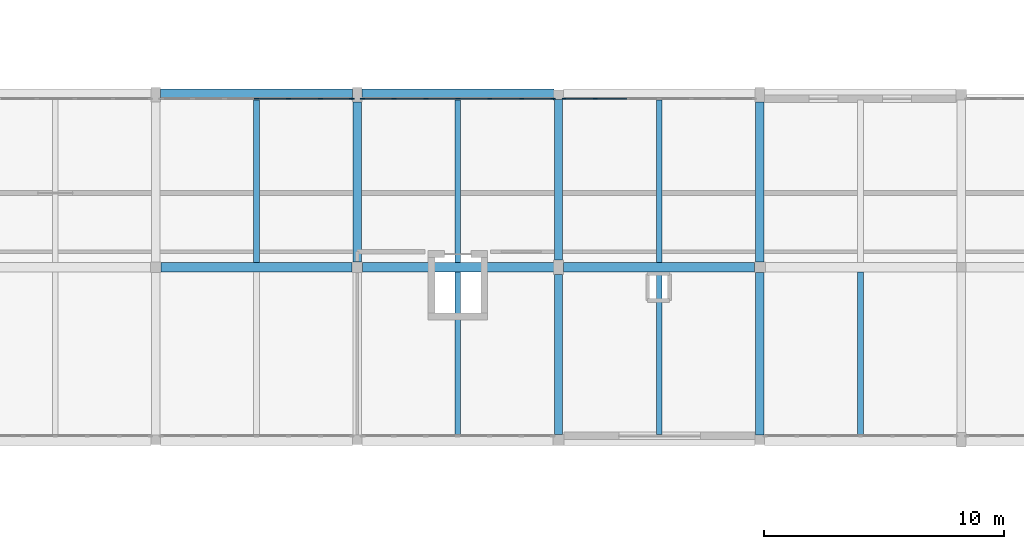
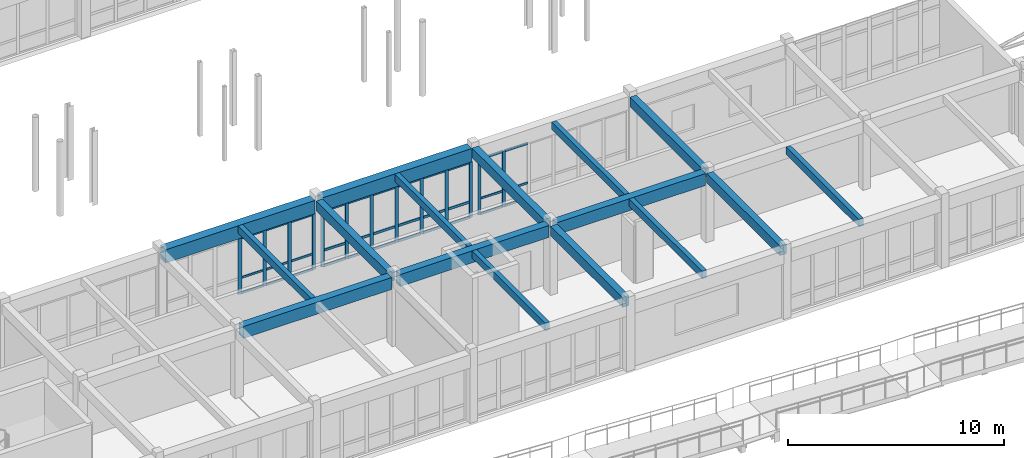
# One storey, part 45 of 89: 46 members, 16 beams, 3 elements without a shape of their own.
"""IFC4 building model written with IfcOpenShell, lengths in metres."""

from ifc_helpers import new_model, si_unit, direction, frame, origin, origin_2d, place, context, subcontext, project, spatial, rectangle, extrude, material, material_profile, profile_set, type_object, element, aggregate, save


model = new_model("IFC4")

# Units and contexts
model_context = context("Model", 3, precision=1e-05, world=origin(), true_north=direction((0.0, 1.0)))
body_context = subcontext(model_context, "Body", "Model", "MODEL_VIEW")
ifc_project = project(units=[si_unit("LENGTHUNIT", "METRE"), si_unit("AREAUNIT", "SQUARE_METRE"), si_unit("VOLUMEUNIT", "CUBIC_METRE"), si_unit("PLANEANGLEUNIT", "RADIAN"), si_unit("MASSUNIT", "GRAM", prefix="KILO")], contexts=[model_context])

# Site, building, storey
site_placement = place(None, origin())
site = spatial("IfcSite", under=ifc_project, at=site_placement, CompositionType="ELEMENT")
building_placement = place(site_placement, origin())
building = spatial("IfcBuilding", under=site, at=building_placement, Name="Malvenik Polytechnic", CompositionType="ELEMENT")
storey_placement = place(building_placement, frame((0.0, 0.0, 13.5)))
storey = spatial("IfcBuildingStorey", under=building, at=storey_placement, Name="L03", CompositionType="ELEMENT", Elevation=13.5)

# Curtain wall, members
ifc_material_1 = material(Name="Anodised aluminium 6060-T6", Category="aluminium")
curtain_wall_type = type_object("IfcCurtainWallType", Name="ARC-CW-CW-02", PredefinedType="NOTDEFINED", material=ifc_material_1)
curtain_wall_1_placement = place(storey_placement, origin())
curtain_wall_1 = element("IfcCurtainWall", 1, at=curtain_wall_1_placement, inside=storey, type_object=curtain_wall_type, Name="Unitised Curtain Wall CW-02 L03 #191", PredefinedType="NOTDEFINED")
ifc_material_2 = material(Name="Anodised aluminium", Category="aluminium")
ifc_material_profile_1 = material_profile(ifc_material_2, rectangle(XDim=0.06005859375, YDim=0.159912109375, at=origin_2d()), Name="ALU MULLION 60x160")
ifc_profile_set_1 = profile_set([ifc_material_profile_1], Name="Anodised aluminium")
member_type_1 = type_object("IfcMemberType", Name="ARC-CWM-160", PredefinedType="MULLION", material=ifc_profile_set_1)
member_1_placement = place(storey_placement, frame((109.427978515625, 93.429931640625, 0.0), z_axis=(0.0, 0.0, 1.0), x_axis=(0.0, 1.0, 0.0)))
member_1 = element("IfcMember", 2, at=member_1_placement, type_object=member_type_1, Name="CW-02 mullion 1", PredefinedType="MULLION", context=body_context, shape_type="SweptSolid", body=[
    extrude(rectangle(XDim=0.06005859375, YDim=0.159912109375, at=origin_2d()), origin(), (0.0, 0.0, 1.0), 3.159912109375),
])
member_2_placement = place(storey_placement, frame((110.73193359375, 93.429931640625, 0.0), z_axis=(0.0, 0.0, 1.0), x_axis=(0.0, 1.0, 0.0)))
member_2 = element("IfcMember", 3, at=member_2_placement, type_object=member_type_1, Name="CW-02 mullion 2", PredefinedType="MULLION", context=body_context, shape_type="SweptSolid", body=[
    extrude(rectangle(XDim=0.06005859375, YDim=0.159912109375, at=origin_2d()), origin(), (0.0, 0.0, 1.0), 3.159912109375),
])

curtain_wall_2_placement = place(storey_placement, origin())
curtain_wall_2 = element("IfcCurtainWall", 4, at=curtain_wall_2_placement, inside=storey, type_object=curtain_wall_type, Name="Unitised Curtain Wall CW-02 L03 #190", PredefinedType="NOTDEFINED")
ifc_material_profile_2 = material_profile(ifc_material_2, rectangle(XDim=0.06005859375, YDim=0.179931640625, at=origin_2d()), Name="ALU MULLION 60x180")
ifc_profile_set_2 = profile_set([ifc_material_profile_2], Name="Anodised aluminium")
member_type_2 = type_object("IfcMemberType", Name="ARC-CWM-180", PredefinedType="MULLION", material=ifc_profile_set_2)
member_3_placement = place(storey_placement, frame((101.028076171875, 93.429931640625, 0.0), z_axis=(0.0, 0.0, 1.0), x_axis=(0.0, 1.0, 0.0)))
member_3 = element("IfcMember", 5, at=member_3_placement, type_object=member_type_2, Name="CW-02 mullion 1", PredefinedType="MULLION", context=body_context, shape_type="SweptSolid", body=[
    extrude(rectangle(XDim=0.06005859375, YDim=0.179931640625, at=origin_2d()), origin(), (0.0, 0.0, 1.0), 3.159912109375),
])
member_4_placement = place(storey_placement, frame((102.33203125, 93.429931640625, 0.0), z_axis=(0.0, 0.0, 1.0), x_axis=(0.0, 1.0, 0.0)))
member_4 = element("IfcMember", 6, at=member_4_placement, type_object=member_type_2, Name="CW-02 mullion 2", PredefinedType="MULLION", context=body_context, shape_type="SweptSolid", body=[
    extrude(rectangle(XDim=0.06005859375, YDim=0.179931640625, at=origin_2d()), origin(), (0.0, 0.0, 1.0), 3.159912109375),
])
member_5_placement = place(storey_placement, frame((103.666015625, 93.429931640625, 0.0), z_axis=(0.0, 0.0, 1.0), x_axis=(0.0, 1.0, 0.0)))
member_5 = element("IfcMember", 7, at=member_5_placement, type_object=member_type_2, Name="CW-02 mullion 3", PredefinedType="MULLION", context=body_context, shape_type="SweptSolid", body=[
    extrude(rectangle(XDim=0.06005859375, YDim=0.179931640625, at=origin_2d()), origin(), (0.0, 0.0, 1.0), 3.159912109375),
])
member_6_placement = place(storey_placement, frame((105.0, 93.429931640625, 0.0), z_axis=(0.0, 0.0, 1.0), x_axis=(0.0, 1.0, 0.0)))
member_6 = element("IfcMember", 8, at=member_6_placement, type_object=member_type_2, Name="CW-02 mullion 4", PredefinedType="MULLION", context=body_context, shape_type="SweptSolid", body=[
    extrude(rectangle(XDim=0.06005859375, YDim=0.179931640625, at=origin_2d()), origin(), (0.0, 0.0, 1.0), 3.159912109375),
])
member_7_placement = place(storey_placement, frame((106.333984375, 93.429931640625, 0.0), z_axis=(0.0, 0.0, 1.0), x_axis=(0.0, 1.0, 0.0)))
member_7 = element("IfcMember", 9, at=member_7_placement, type_object=member_type_2, Name="CW-02 mullion 5", PredefinedType="MULLION", context=body_context, shape_type="SweptSolid", body=[
    extrude(rectangle(XDim=0.06005859375, YDim=0.179931640625, at=origin_2d()), origin(), (0.0, 0.0, 1.0), 3.159912109375),
])
member_8_placement = place(storey_placement, frame((107.66796875, 93.429931640625, 0.0), z_axis=(0.0, 0.0, 1.0), x_axis=(0.0, 1.0, 0.0)))
member_8 = element("IfcMember", 10, at=member_8_placement, type_object=member_type_2, Name="CW-02 mullion 6", PredefinedType="MULLION", context=body_context, shape_type="SweptSolid", body=[
    extrude(rectangle(XDim=0.06005859375, YDim=0.179931640625, at=origin_2d()), origin(), (0.0, 0.0, 1.0), 3.159912109375),
])
member_9_placement = place(storey_placement, frame((108.971923828125, 93.429931640625, 0.0), z_axis=(0.0, 0.0, 1.0), x_axis=(0.0, 1.0, 0.0)))
member_9 = element("IfcMember", 11, at=member_9_placement, type_object=member_type_2, Name="CW-02 mullion 7", PredefinedType="MULLION", context=body_context, shape_type="SweptSolid", body=[
    extrude(rectangle(XDim=0.06005859375, YDim=0.179931640625, at=origin_2d()), origin(), (0.0, 0.0, 1.0), 3.159912109375),
])

curtain_wall_3_placement = place(storey_placement, origin())
curtain_wall_3 = element("IfcCurtainWall", 12, at=curtain_wall_3_placement, inside=storey, type_object=curtain_wall_type, Name="Unitised Curtain Wall CW-02 L03 #189", PredefinedType="NOTDEFINED")
ifc_material_profile_3 = material_profile(ifc_material_2, rectangle(XDim=0.06005859375, YDim=0.199951171875, at=origin_2d()), Name="ALU MULLION 60x200")
ifc_profile_set_3 = profile_set([ifc_material_profile_3], Name="Anodised aluminium")
member_type_3 = type_object("IfcMemberType", Name="ARC-CWM-200", PredefinedType="MULLION", material=ifc_profile_set_3)
member_10_placement = place(storey_placement, frame((96.60009765625, 93.429931640625, 0.0), z_axis=(0.0, 0.0, 1.0), x_axis=(0.0, 1.0, 0.0)))
member_10 = element("IfcMember", 13, at=member_10_placement, type_object=member_type_3, Name="CW-02 mullion 4", PredefinedType="MULLION", context=body_context, shape_type="SweptSolid", body=[
    extrude(rectangle(XDim=0.06005859375, YDim=0.199951171875, at=origin_2d()), origin(), (0.0, 0.0, 1.0), 3.159912109375),
])
member_11_placement = place(storey_placement, frame((97.93408203125, 93.429931640625, 0.0), z_axis=(0.0, 0.0, 1.0), x_axis=(0.0, 1.0, 0.0)))
member_11 = element("IfcMember", 14, at=member_11_placement, type_object=member_type_3, Name="CW-02 mullion 5", PredefinedType="MULLION", context=body_context, shape_type="SweptSolid", body=[
    extrude(rectangle(XDim=0.06005859375, YDim=0.199951171875, at=origin_2d()), origin(), (0.0, 0.0, 1.0), 3.159912109375),
])
member_12_placement = place(storey_placement, frame((99.26806640625, 93.429931640625, 0.0), z_axis=(0.0, 0.0, 1.0), x_axis=(0.0, 1.0, 0.0)))
member_12 = element("IfcMember", 15, at=member_12_placement, type_object=member_type_3, Name="CW-02 mullion 6", PredefinedType="MULLION", context=body_context, shape_type="SweptSolid", body=[
    extrude(rectangle(XDim=0.06005859375, YDim=0.199951171875, at=origin_2d()), origin(), (0.0, 0.0, 1.0), 3.159912109375),
])
member_13_placement = place(storey_placement, frame((100.572021484375, 93.429931640625, 0.0), z_axis=(0.0, 0.0, 1.0), x_axis=(0.0, 1.0, 0.0)))
member_13 = element("IfcMember", 16, at=member_13_placement, type_object=member_type_3, Name="CW-02 mullion 7", PredefinedType="MULLION", context=body_context, shape_type="SweptSolid", body=[
    extrude(rectangle(XDim=0.06005859375, YDim=0.199951171875, at=origin_2d()), origin(), (0.0, 0.0, 1.0), 3.159912109375),
])
ifc_material_profile_4 = material_profile(ifc_material_2, rectangle(XDim=0.06005859375, YDim=0.1201171875, at=origin_2d()), Name="ALU TRANSOM 60x120")
ifc_profile_set_4 = profile_set([ifc_material_profile_4], Name="Anodised aluminium")
member_type_4 = type_object("IfcMemberType", Name="ARC-CWT-120", PredefinedType="USERDEFINED", material=ifc_profile_set_4)
member_14_placement = place(storey_placement, frame((96.6298828125, 93.429931640625, 0.030029296875), z_axis=(1.0, 0.0, 0.0), x_axis=(0.0, 1.0, 0.0)))
member_14 = element("IfcMember", 17, at=member_14_placement, type_object=member_type_4, Name="CW-02 transom 4.1", ObjectType="TRANSOM", PredefinedType="USERDEFINED", context=body_context, shape_type="SweptSolid", body=[
    extrude(rectangle(XDim=0.06005859375, YDim=0.1201171875, at=origin_2d()), origin(), (0.0, 0.0, 1.0), 1.274169921875),
])
member_15_placement = place(storey_placement, frame((96.6298828125, 93.429931640625, 0.89990234375), z_axis=(1.0, 0.0, 0.0), x_axis=(0.0, 1.0, 0.0)))
member_15 = element("IfcMember", 18, at=member_15_placement, type_object=member_type_4, Name="CW-02 transom 4.2", ObjectType="TRANSOM", PredefinedType="USERDEFINED", context=body_context, shape_type="SweptSolid", body=[
    extrude(rectangle(XDim=0.06005859375, YDim=0.1201171875, at=origin_2d()), origin(), (0.0, 0.0, 1.0), 1.274169921875),
])
member_16_placement = place(storey_placement, frame((96.6298828125, 93.429931640625, 3.1298828125), z_axis=(1.0, 0.0, 0.0), x_axis=(0.0, 1.0, 0.0)))
member_16 = element("IfcMember", 19, at=member_16_placement, type_object=member_type_4, Name="CW-02 transom 4.3", ObjectType="TRANSOM", PredefinedType="USERDEFINED", context=body_context, shape_type="SweptSolid", body=[
    extrude(rectangle(XDim=0.06005859375, YDim=0.1201171875, at=origin_2d()), origin(), (0.0, 0.0, 1.0), 1.274169921875),
])
member_17_placement = place(storey_placement, frame((97.964111328125, 93.429931640625, 0.030029296875), z_axis=(1.0, 0.0, 0.0), x_axis=(0.0, 1.0, 0.0)))
member_17 = element("IfcMember", 20, at=member_17_placement, type_object=member_type_4, Name="CW-02 transom 5.1", ObjectType="TRANSOM", PredefinedType="USERDEFINED", context=body_context, shape_type="SweptSolid", body=[
    extrude(rectangle(XDim=0.06005859375, YDim=0.1201171875, at=origin_2d()), origin(), (0.0, 0.0, 1.0), 1.27392578125),
])
member_18_placement = place(storey_placement, frame((97.964111328125, 93.429931640625, 0.89990234375), z_axis=(1.0, 0.0, 0.0), x_axis=(0.0, 1.0, 0.0)))
member_18 = element("IfcMember", 21, at=member_18_placement, type_object=member_type_4, Name="CW-02 transom 5.2", ObjectType="TRANSOM", PredefinedType="USERDEFINED", context=body_context, shape_type="SweptSolid", body=[
    extrude(rectangle(XDim=0.06005859375, YDim=0.1201171875, at=origin_2d()), origin(), (0.0, 0.0, 1.0), 1.27392578125),
])
member_19_placement = place(storey_placement, frame((97.964111328125, 93.429931640625, 3.1298828125), z_axis=(1.0, 0.0, 0.0), x_axis=(0.0, 1.0, 0.0)))
member_19 = element("IfcMember", 22, at=member_19_placement, type_object=member_type_4, Name="CW-02 transom 5.3", ObjectType="TRANSOM", PredefinedType="USERDEFINED", context=body_context, shape_type="SweptSolid", body=[
    extrude(rectangle(XDim=0.06005859375, YDim=0.1201171875, at=origin_2d()), origin(), (0.0, 0.0, 1.0), 1.27392578125),
])
member_20_placement = place(storey_placement, frame((99.298095703125, 93.429931640625, 0.030029296875), z_axis=(1.0, 0.0, 0.0), x_axis=(0.0, 1.0, 0.0)))
member_20 = element("IfcMember", 23, at=member_20_placement, type_object=member_type_4, Name="CW-02 transom 6.1", ObjectType="TRANSOM", PredefinedType="USERDEFINED", context=body_context, shape_type="SweptSolid", body=[
    extrude(rectangle(XDim=0.06005859375, YDim=0.1201171875, at=origin_2d()), origin(), (0.0, 0.0, 1.0), 1.243896484375),
])
member_21_placement = place(storey_placement, frame((99.298095703125, 93.429931640625, 0.89990234375), z_axis=(1.0, 0.0, 0.0), x_axis=(0.0, 1.0, 0.0)))
member_21 = element("IfcMember", 24, at=member_21_placement, type_object=member_type_4, Name="CW-02 transom 6.2", ObjectType="TRANSOM", PredefinedType="USERDEFINED", context=body_context, shape_type="SweptSolid", body=[
    extrude(rectangle(XDim=0.06005859375, YDim=0.1201171875, at=origin_2d()), origin(), (0.0, 0.0, 1.0), 1.243896484375),
])
member_22_placement = place(storey_placement, frame((99.298095703125, 93.429931640625, 3.1298828125), z_axis=(1.0, 0.0, 0.0), x_axis=(0.0, 1.0, 0.0)))
member_22 = element("IfcMember", 25, at=member_22_placement, type_object=member_type_4, Name="CW-02 transom 6.3", ObjectType="TRANSOM", PredefinedType="USERDEFINED", context=body_context, shape_type="SweptSolid", body=[
    extrude(rectangle(XDim=0.06005859375, YDim=0.1201171875, at=origin_2d()), origin(), (0.0, 0.0, 1.0), 1.243896484375),
])
aggregate(curtain_wall_3, [member_10, member_11, member_12, member_13, member_14, member_15, member_16, member_17, member_18, member_19, member_20, member_21, member_22])

# Member
member_23_placement = place(storey_placement, frame((109.4580078125, 93.429931640625, 0.030029296875), z_axis=(1.0, 0.0, 0.0), x_axis=(0.0, 1.0, 0.0)))
member_23 = element("IfcMember", 26, at=member_23_placement, type_object=member_type_4, Name="CW-02 transom 1.1", ObjectType="TRANSOM", PredefinedType="USERDEFINED", context=body_context, shape_type="SweptSolid", body=[
    extrude(rectangle(XDim=0.06005859375, YDim=0.1201171875, at=origin_2d()), origin(), (0.0, 0.0, 1.0), 1.243896484375),
])

member_24_placement = place(storey_placement, frame((109.4580078125, 93.429931640625, 0.89990234375), z_axis=(1.0, 0.0, 0.0), x_axis=(0.0, 1.0, 0.0)))
member_24 = element("IfcMember", 27, at=member_24_placement, type_object=member_type_4, Name="CW-02 transom 1.2", ObjectType="TRANSOM", PredefinedType="USERDEFINED", context=body_context, shape_type="SweptSolid", body=[
    extrude(rectangle(XDim=0.06005859375, YDim=0.1201171875, at=origin_2d()), origin(), (0.0, 0.0, 1.0), 1.243896484375),
])

member_25_placement = place(storey_placement, frame((109.4580078125, 93.429931640625, 3.1298828125), z_axis=(1.0, 0.0, 0.0), x_axis=(0.0, 1.0, 0.0)))
member_25 = element("IfcMember", 28, at=member_25_placement, type_object=member_type_4, Name="CW-02 transom 1.3", ObjectType="TRANSOM", PredefinedType="USERDEFINED", context=body_context, shape_type="SweptSolid", body=[
    extrude(rectangle(XDim=0.06005859375, YDim=0.1201171875, at=origin_2d()), origin(), (0.0, 0.0, 1.0), 1.243896484375),
])

member_26_placement = place(storey_placement, frame((110.761962890625, 93.429931640625, 0.030029296875), z_axis=(1.0, 0.0, 0.0), x_axis=(0.0, 1.0, 0.0)))
member_26 = element("IfcMember", 29, at=member_26_placement, type_object=member_type_4, Name="CW-02 transom 2.1", ObjectType="TRANSOM", PredefinedType="USERDEFINED", context=body_context, shape_type="SweptSolid", body=[
    extrude(rectangle(XDim=0.06005859375, YDim=0.1201171875, at=origin_2d()), origin(), (0.0, 0.0, 1.0), 1.27392578125),
])

member_27_placement = place(storey_placement, frame((110.761962890625, 93.429931640625, 0.89990234375), z_axis=(1.0, 0.0, 0.0), x_axis=(0.0, 1.0, 0.0)))
member_27 = element("IfcMember", 30, at=member_27_placement, type_object=member_type_4, Name="CW-02 transom 2.2", ObjectType="TRANSOM", PredefinedType="USERDEFINED", context=body_context, shape_type="SweptSolid", body=[
    extrude(rectangle(XDim=0.06005859375, YDim=0.1201171875, at=origin_2d()), origin(), (0.0, 0.0, 1.0), 1.27392578125),
])

member_28_placement = place(storey_placement, frame((110.761962890625, 93.429931640625, 3.1298828125), z_axis=(1.0, 0.0, 0.0), x_axis=(0.0, 1.0, 0.0)))
member_28 = element("IfcMember", 31, at=member_28_placement, type_object=member_type_4, Name="CW-02 transom 2.3", ObjectType="TRANSOM", PredefinedType="USERDEFINED", context=body_context, shape_type="SweptSolid", body=[
    extrude(rectangle(XDim=0.06005859375, YDim=0.1201171875, at=origin_2d()), origin(), (0.0, 0.0, 1.0), 1.27392578125),
])

aggregate(curtain_wall_1, [member_1, member_2, member_23, member_24, member_25, member_26, member_27, member_28])

ifc_material_profile_5 = material_profile(ifc_material_2, rectangle(XDim=0.06005859375, YDim=0.139892578125, at=origin_2d()), Name="ALU TRANSOM 60x140")
ifc_profile_set_5 = profile_set([ifc_material_profile_5], Name="Anodised aluminium")
member_type_5 = type_object("IfcMemberType", Name="ARC-CWT-140", PredefinedType="USERDEFINED", material=ifc_profile_set_5)
member_29_placement = place(storey_placement, frame((101.05810546875, 93.429931640625, 0.030029296875), z_axis=(1.0, 0.0, 0.0), x_axis=(0.0, 1.0, 0.0)))
member_29 = element("IfcMember", 32, at=member_29_placement, type_object=member_type_5, Name="CW-02 transom 1.1", ObjectType="TRANSOM", PredefinedType="USERDEFINED", context=body_context, shape_type="SweptSolid", body=[
    extrude(rectangle(XDim=0.06005859375, YDim=0.139892578125, at=origin_2d()), origin(), (0.0, 0.0, 1.0), 1.243896484375),
])

member_30_placement = place(storey_placement, frame((101.05810546875, 93.429931640625, 0.89990234375), z_axis=(1.0, 0.0, 0.0), x_axis=(0.0, 1.0, 0.0)))
member_30 = element("IfcMember", 33, at=member_30_placement, type_object=member_type_5, Name="CW-02 transom 1.2", ObjectType="TRANSOM", PredefinedType="USERDEFINED", context=body_context, shape_type="SweptSolid", body=[
    extrude(rectangle(XDim=0.06005859375, YDim=0.139892578125, at=origin_2d()), origin(), (0.0, 0.0, 1.0), 1.243896484375),
])

member_31_placement = place(storey_placement, frame((101.05810546875, 93.429931640625, 3.1298828125), z_axis=(1.0, 0.0, 0.0), x_axis=(0.0, 1.0, 0.0)))
member_31 = element("IfcMember", 34, at=member_31_placement, type_object=member_type_5, Name="CW-02 transom 1.3", ObjectType="TRANSOM", PredefinedType="USERDEFINED", context=body_context, shape_type="SweptSolid", body=[
    extrude(rectangle(XDim=0.06005859375, YDim=0.139892578125, at=origin_2d()), origin(), (0.0, 0.0, 1.0), 1.243896484375),
])

member_32_placement = place(storey_placement, frame((102.362060546875, 93.429931640625, 0.030029296875), z_axis=(1.0, 0.0, 0.0), x_axis=(0.0, 1.0, 0.0)))
member_32 = element("IfcMember", 35, at=member_32_placement, type_object=member_type_5, Name="CW-02 transom 2.1", ObjectType="TRANSOM", PredefinedType="USERDEFINED", context=body_context, shape_type="SweptSolid", body=[
    extrude(rectangle(XDim=0.06005859375, YDim=0.139892578125, at=origin_2d()), origin(), (0.0, 0.0, 1.0), 1.27392578125),
])

member_33_placement = place(storey_placement, frame((102.362060546875, 93.429931640625, 0.89990234375), z_axis=(1.0, 0.0, 0.0), x_axis=(0.0, 1.0, 0.0)))
member_33 = element("IfcMember", 36, at=member_33_placement, type_object=member_type_5, Name="CW-02 transom 2.2", ObjectType="TRANSOM", PredefinedType="USERDEFINED", context=body_context, shape_type="SweptSolid", body=[
    extrude(rectangle(XDim=0.06005859375, YDim=0.139892578125, at=origin_2d()), origin(), (0.0, 0.0, 1.0), 1.27392578125),
])

member_34_placement = place(storey_placement, frame((102.362060546875, 93.429931640625, 3.1298828125), z_axis=(1.0, 0.0, 0.0), x_axis=(0.0, 1.0, 0.0)))
member_34 = element("IfcMember", 37, at=member_34_placement, type_object=member_type_5, Name="CW-02 transom 2.3", ObjectType="TRANSOM", PredefinedType="USERDEFINED", context=body_context, shape_type="SweptSolid", body=[
    extrude(rectangle(XDim=0.06005859375, YDim=0.139892578125, at=origin_2d()), origin(), (0.0, 0.0, 1.0), 1.27392578125),
])

member_35_placement = place(storey_placement, frame((103.696044921875, 93.429931640625, 0.030029296875), z_axis=(1.0, 0.0, 0.0), x_axis=(0.0, 1.0, 0.0)))
member_35 = element("IfcMember", 38, at=member_35_placement, type_object=member_type_5, Name="CW-02 transom 3.1", ObjectType="TRANSOM", PredefinedType="USERDEFINED", context=body_context, shape_type="SweptSolid", body=[
    extrude(rectangle(XDim=0.06005859375, YDim=0.139892578125, at=origin_2d()), origin(), (0.0, 0.0, 1.0), 1.27392578125),
])

member_36_placement = place(storey_placement, frame((103.696044921875, 93.429931640625, 0.89990234375), z_axis=(1.0, 0.0, 0.0), x_axis=(0.0, 1.0, 0.0)))
member_36 = element("IfcMember", 39, at=member_36_placement, type_object=member_type_5, Name="CW-02 transom 3.2", ObjectType="TRANSOM", PredefinedType="USERDEFINED", context=body_context, shape_type="SweptSolid", body=[
    extrude(rectangle(XDim=0.06005859375, YDim=0.139892578125, at=origin_2d()), origin(), (0.0, 0.0, 1.0), 1.27392578125),
])

member_37_placement = place(storey_placement, frame((103.696044921875, 93.429931640625, 3.1298828125), z_axis=(1.0, 0.0, 0.0), x_axis=(0.0, 1.0, 0.0)))
member_37 = element("IfcMember", 40, at=member_37_placement, type_object=member_type_5, Name="CW-02 transom 3.3", ObjectType="TRANSOM", PredefinedType="USERDEFINED", context=body_context, shape_type="SweptSolid", body=[
    extrude(rectangle(XDim=0.06005859375, YDim=0.139892578125, at=origin_2d()), origin(), (0.0, 0.0, 1.0), 1.27392578125),
])

member_38_placement = place(storey_placement, frame((105.030029296875, 93.429931640625, 0.030029296875), z_axis=(1.0, 0.0, 0.0), x_axis=(0.0, 1.0, 0.0)))
member_38 = element("IfcMember", 41, at=member_38_placement, type_object=member_type_5, Name="CW-02 transom 4.1", ObjectType="TRANSOM", PredefinedType="USERDEFINED", context=body_context, shape_type="SweptSolid", body=[
    extrude(rectangle(XDim=0.06005859375, YDim=0.139892578125, at=origin_2d()), origin(), (0.0, 0.0, 1.0), 1.27392578125),
])

member_39_placement = place(storey_placement, frame((105.030029296875, 93.429931640625, 0.89990234375), z_axis=(1.0, 0.0, 0.0), x_axis=(0.0, 1.0, 0.0)))
member_39 = element("IfcMember", 42, at=member_39_placement, type_object=member_type_5, Name="CW-02 transom 4.2", ObjectType="TRANSOM", PredefinedType="USERDEFINED", context=body_context, shape_type="SweptSolid", body=[
    extrude(rectangle(XDim=0.06005859375, YDim=0.139892578125, at=origin_2d()), origin(), (0.0, 0.0, 1.0), 1.27392578125),
])

member_40_placement = place(storey_placement, frame((105.030029296875, 93.429931640625, 3.1298828125), z_axis=(1.0, 0.0, 0.0), x_axis=(0.0, 1.0, 0.0)))
member_40 = element("IfcMember", 43, at=member_40_placement, type_object=member_type_5, Name="CW-02 transom 4.3", ObjectType="TRANSOM", PredefinedType="USERDEFINED", context=body_context, shape_type="SweptSolid", body=[
    extrude(rectangle(XDim=0.06005859375, YDim=0.139892578125, at=origin_2d()), origin(), (0.0, 0.0, 1.0), 1.27392578125),
])

member_41_placement = place(storey_placement, frame((106.364013671875, 93.429931640625, 0.030029296875), z_axis=(1.0, 0.0, 0.0), x_axis=(0.0, 1.0, 0.0)))
member_41 = element("IfcMember", 44, at=member_41_placement, type_object=member_type_5, Name="CW-02 transom 5.1", ObjectType="TRANSOM", PredefinedType="USERDEFINED", context=body_context, shape_type="SweptSolid", body=[
    extrude(rectangle(XDim=0.06005859375, YDim=0.139892578125, at=origin_2d()), origin(), (0.0, 0.0, 1.0), 1.27392578125),
])

member_42_placement = place(storey_placement, frame((106.364013671875, 93.429931640625, 0.89990234375), z_axis=(1.0, 0.0, 0.0), x_axis=(0.0, 1.0, 0.0)))
member_42 = element("IfcMember", 45, at=member_42_placement, type_object=member_type_5, Name="CW-02 transom 5.2", ObjectType="TRANSOM", PredefinedType="USERDEFINED", context=body_context, shape_type="SweptSolid", body=[
    extrude(rectangle(XDim=0.06005859375, YDim=0.139892578125, at=origin_2d()), origin(), (0.0, 0.0, 1.0), 1.27392578125),
])

member_43_placement = place(storey_placement, frame((106.364013671875, 93.429931640625, 3.1298828125), z_axis=(1.0, 0.0, 0.0), x_axis=(0.0, 1.0, 0.0)))
member_43 = element("IfcMember", 46, at=member_43_placement, type_object=member_type_5, Name="CW-02 transom 5.3", ObjectType="TRANSOM", PredefinedType="USERDEFINED", context=body_context, shape_type="SweptSolid", body=[
    extrude(rectangle(XDim=0.06005859375, YDim=0.139892578125, at=origin_2d()), origin(), (0.0, 0.0, 1.0), 1.27392578125),
])

member_44_placement = place(storey_placement, frame((107.697998046875, 93.429931640625, 0.030029296875), z_axis=(1.0, 0.0, 0.0), x_axis=(0.0, 1.0, 0.0)))
member_44 = element("IfcMember", 47, at=member_44_placement, type_object=member_type_5, Name="CW-02 transom 6.1", ObjectType="TRANSOM", PredefinedType="USERDEFINED", context=body_context, shape_type="SweptSolid", body=[
    extrude(rectangle(XDim=0.06005859375, YDim=0.139892578125, at=origin_2d()), origin(), (0.0, 0.0, 1.0), 1.243896484375),
])

member_45_placement = place(storey_placement, frame((107.697998046875, 93.429931640625, 0.89990234375), z_axis=(1.0, 0.0, 0.0), x_axis=(0.0, 1.0, 0.0)))
member_45 = element("IfcMember", 48, at=member_45_placement, type_object=member_type_5, Name="CW-02 transom 6.2", ObjectType="TRANSOM", PredefinedType="USERDEFINED", context=body_context, shape_type="SweptSolid", body=[
    extrude(rectangle(XDim=0.06005859375, YDim=0.139892578125, at=origin_2d()), origin(), (0.0, 0.0, 1.0), 1.243896484375),
])

member_46_placement = place(storey_placement, frame((107.697998046875, 93.429931640625, 3.1298828125), z_axis=(1.0, 0.0, 0.0), x_axis=(0.0, 1.0, 0.0)))
member_46 = element("IfcMember", 49, at=member_46_placement, type_object=member_type_5, Name="CW-02 transom 6.3", ObjectType="TRANSOM", PredefinedType="USERDEFINED", context=body_context, shape_type="SweptSolid", body=[
    extrude(rectangle(XDim=0.06005859375, YDim=0.139892578125, at=origin_2d()), origin(), (0.0, 0.0, 1.0), 1.243896484375),
])

aggregate(curtain_wall_2, [member_3, member_4, member_5, member_6, member_7, member_8, member_9, member_29, member_30, member_31, member_32, member_33, member_34, member_35, member_36, member_37, member_38, member_39, member_40, member_41, member_42, member_43, member_44, member_45, member_46])

# Beams
ifc_material_3 = material(Name="Concrete C35/45", Category="concrete")
ifc_material_profile_6 = material_profile(ifc_material_3, rectangle(XDim=0.39990234375, YDim=0.679931640625, at=origin_2d()), Name="RC BM 400x680")
ifc_profile_set_6 = profile_set([ifc_material_profile_6], Name="Concrete C35/45")
beam_type_1 = type_object("IfcBeamType", Name="STR-BM-B-05", PredefinedType="BEAM", material=ifc_profile_set_6)
beam_1_placement = place(storey_placement, frame((92.623046875, 86.39990234375, 3.580078125), z_axis=(1.0, 0.0, 0.0), x_axis=(0.0, 1.0, 0.0)))
element("IfcBeam", 50, at=beam_1_placement, inside=storey, type_object=beam_type_1, Name="Primary Beam B-05 L03 #1657", PredefinedType="BEAM", context=body_context, shape_type="SweptSolid", body=[
    extrude(rectangle(XDim=0.39990234375, YDim=0.679931640625, at=origin_2d()), origin(), (0.0, 0.0, 1.0), 7.953857421875),
])
for number, where, z_axis, x_axis, name in (
    (51, (101.02294921875, 86.39990234375, 3.580078125), (1.0, 0.0, 0.0), (0.0, 1.0, 0.0), "Primary Beam B-05 L03 #1658"),
    (52, (109.39794921875, 86.39990234375, 3.580078125), (1.0, 0.0, 0.0), (0.0, 1.0, 0.0), "Primary Beam B-05 L03 #1659"),
):
    element("IfcBeam", number, at=place(storey_placement, frame(where, z_axis=z_axis, x_axis=x_axis)), inside=storey, type_object=beam_type_1, Name=name, PredefinedType="BEAM", context=body_context, shape_type="SweptSolid", body=[
        extrude(rectangle(XDim=0.39990234375, YDim=0.679931640625, at=origin_2d()), origin(), (0.0, 0.0, 1.0), 7.97900390625),
    ])
ifc_material_profile_7 = material_profile(ifc_material_3, rectangle(XDim=0.35009765625, YDim=0.550048828125, at=origin_2d()), Name="RC BM 350x550")
ifc_profile_set_7 = profile_set([ifc_material_profile_7], Name="Concrete C35/45")
beam_type_2 = type_object("IfcBeamType", Name="STR-BM-B-08", PredefinedType="BEAM", material=ifc_profile_set_7)
for number, where, z_axis, x_axis, name in (
    (53, (100.800048828125, 86.623046875, 3.64501953125), (0.0, 1.0, 0.0), (-1.0, 0.0, 0.0), "Transverse Beam B-08 L03 #1767"),
    (54, (109.199951171875, 79.423095703125, 3.64501953125), (0.0, 1.0, 0.0), (-1.0, 0.0, 0.0), "Transverse Beam B-08 L03 #1768"),
):
    element("IfcBeam", number, at=place(storey_placement, frame(where, z_axis=z_axis, x_axis=x_axis)), inside=storey, type_object=beam_type_2, Name=name, PredefinedType="BEAM", context=body_context, shape_type="SweptSolid", body=[
        extrude(rectangle(XDim=0.35009765625, YDim=0.550048828125, at=origin_2d()), origin(), (0.0, 0.0, 1.0), 6.678955078125),
    ])
beam_2_placement = place(storey_placement, frame((109.199951171875, 86.697998046875, 3.64501953125), z_axis=(0.0, 1.0, 0.0), x_axis=(-1.0, 0.0, 0.0)))
element("IfcBeam", 55, at=beam_2_placement, inside=storey, type_object=beam_type_2, Name="Transverse Beam B-08 L03 #1769", PredefinedType="BEAM", context=body_context, shape_type="SweptSolid", body=[
    extrude(rectangle(XDim=0.35009765625, YDim=0.550048828125, at=origin_2d()), origin(), (0.0, 0.0, 1.0), 6.7041015625),
])
beam_3_placement = place(storey_placement, frame((117.60009765625, 79.39794921875, 3.64501953125), z_axis=(0.0, 1.0, 0.0), x_axis=(-1.0, 0.0, 0.0)))
element("IfcBeam", 56, at=beam_3_placement, inside=storey, type_object=beam_type_2, Name="Transverse Beam B-08 L03 #1772", PredefinedType="BEAM", context=body_context, shape_type="SweptSolid", body=[
    extrude(rectangle(XDim=0.35009765625, YDim=0.550048828125, at=origin_2d()), origin(), (0.0, 0.0, 1.0), 6.779052734375),
])
beam_4_placement = place(storey_placement, frame((117.60009765625, 86.623046875, 3.64501953125), z_axis=(0.0, 1.0, 0.0), x_axis=(-1.0, 0.0, 0.0)))
element("IfcBeam", 57, at=beam_4_placement, inside=storey, type_object=beam_type_2, Name="Transverse Beam B-08 L03 #1773", PredefinedType="BEAM", context=body_context, shape_type="SweptSolid", body=[
    extrude(rectangle(XDim=0.35009765625, YDim=0.550048828125, at=origin_2d()), origin(), (0.0, 0.0, 1.0), 6.678955078125),
])
ifc_material_4 = material(Name="Concrete C30/37", Category="concrete")
ifc_material_profile_8 = material_profile(ifc_material_4, rectangle(XDim=0.239990234375, YDim=0.419921875, at=origin_2d()), Name="RC JST 240x420")
ifc_profile_set_8 = profile_set([ifc_material_profile_8], Name="Concrete C30/37")
beam_type_3 = type_object("IfcBeamType", Name="STR-BM-J-03", PredefinedType="JOIST", material=ifc_profile_set_8)
beam_5_placement = place(storey_placement, frame((96.60009765625, 86.597900390625, 3.7099609375), z_axis=(0.0, 1.0, 0.0), x_axis=(-1.0, 0.0, 0.0)))
element("IfcBeam", 58, at=beam_5_placement, inside=storey, type_object=beam_type_3, Name="Secondary Rib Joist J-03 L03 #1814", PredefinedType="JOIST", context=body_context, shape_type="SweptSolid", body=[
    extrude(rectangle(XDim=0.239990234375, YDim=0.419921875, at=origin_2d()), origin(), (0.0, 0.0, 1.0), 6.774169921875),
])
beam_6_placement = place(storey_placement, frame((105.0, 79.427978515625, 3.7099609375), z_axis=(0.0, 1.0, 0.0), x_axis=(-1.0, 0.0, 0.0)))
element("IfcBeam", 59, at=beam_6_placement, inside=storey, type_object=beam_type_3, Name="Secondary Rib Joist J-03 L03 #1815", PredefinedType="JOIST", context=body_context, shape_type="SweptSolid", body=[
    extrude(rectangle(XDim=0.239990234375, YDim=0.419921875, at=origin_2d()), origin(), (0.0, 0.0, 1.0), 6.77392578125),
])
beam_7_placement = place(storey_placement, frame((105.0, 86.597900390625, 3.7099609375), z_axis=(0.0, 1.0, 0.0), x_axis=(-1.0, 0.0, 0.0)))
element("IfcBeam", 60, at=beam_7_placement, inside=storey, type_object=beam_type_3, Name="Secondary Rib Joist J-03 L03 #1816", PredefinedType="JOIST", context=body_context, shape_type="SweptSolid", body=[
    extrude(rectangle(XDim=0.239990234375, YDim=0.419921875, at=origin_2d()), origin(), (0.0, 0.0, 1.0), 6.774169921875),
])
beam_8_placement = place(storey_placement, frame((113.39990234375, 79.427978515625, 3.7099609375), z_axis=(0.0, 1.0, 0.0), x_axis=(-1.0, 0.0, 0.0)))
element("IfcBeam", 61, at=beam_8_placement, inside=storey, type_object=beam_type_3, Name="Secondary Rib Joist J-03 L03 #1817", PredefinedType="JOIST", context=body_context, shape_type="SweptSolid", body=[
    extrude(rectangle(XDim=0.239990234375, YDim=0.419921875, at=origin_2d()), origin(), (0.0, 0.0, 1.0), 6.77392578125),
])
beam_9_placement = place(storey_placement, frame((113.39990234375, 86.597900390625, 3.7099609375), z_axis=(0.0, 1.0, 0.0), x_axis=(-1.0, 0.0, 0.0)))
element("IfcBeam", 62, at=beam_9_placement, inside=storey, type_object=beam_type_3, Name="Secondary Rib Joist J-03 L03 #1818", PredefinedType="JOIST", context=body_context, shape_type="SweptSolid", body=[
    extrude(rectangle(XDim=0.239990234375, YDim=0.419921875, at=origin_2d()), origin(), (0.0, 0.0, 1.0), 6.774169921875),
])
beam_10_placement = place(storey_placement, frame((121.800048828125, 79.427978515625, 3.7099609375), z_axis=(0.0, 1.0, 0.0), x_axis=(-1.0, 0.0, 0.0)))
element("IfcBeam", 63, at=beam_10_placement, inside=storey, type_object=beam_type_3, Name="Secondary Rib Joist J-03 L03 #1820", PredefinedType="JOIST", context=body_context, shape_type="SweptSolid", body=[
    extrude(rectangle(XDim=0.239990234375, YDim=0.419921875, at=origin_2d()), origin(), (0.0, 0.0, 1.0), 6.77392578125),
])
ifc_material_5 = material(Name="Precast concrete C40/50", Category="concrete")
ifc_material_profile_9 = material_profile(ifc_material_5, rectangle(XDim=0.4599609375, YDim=0.75, at=origin_2d()), Name="PC SPN 460x750")
ifc_profile_set_9 = profile_set([ifc_material_profile_9], Name="Precast concrete C40/50")
beam_type_4 = type_object("IfcBeamType", Name="STR-BM-SP-02", PredefinedType="SPANDREL", material=ifc_profile_set_9)
beam_11_placement = place(storey_placement, frame((92.597900390625, 93.60009765625, 3.544921875), z_axis=(1.0, 0.0, 0.0), x_axis=(0.0, 1.0, 0.0)))
element("IfcBeam", 64, at=beam_11_placement, inside=storey, type_object=beam_type_4, Name="Primary Beam SP-02 L03 #1673", PredefinedType="SPANDREL", context=body_context, shape_type="SweptSolid", body=[
    extrude(rectangle(XDim=0.4599609375, YDim=0.75, at=origin_2d()), origin(), (0.0, 0.0, 1.0), 8.004150390625),
])
beam_12_placement = place(storey_placement, frame((100.998046875, 93.60009765625, 3.544921875), z_axis=(1.0, 0.0, 0.0), x_axis=(0.0, 1.0, 0.0)))
element("IfcBeam", 65, at=beam_12_placement, inside=storey, type_object=beam_type_4, Name="Primary Beam SP-02 L03 #1674", PredefinedType="SPANDREL", context=body_context, shape_type="SweptSolid", body=[
    extrude(rectangle(XDim=0.4599609375, YDim=0.75, at=origin_2d()), origin(), (0.0, 0.0, 1.0), 8.00390625),
])

save(model, "model.ifc")
